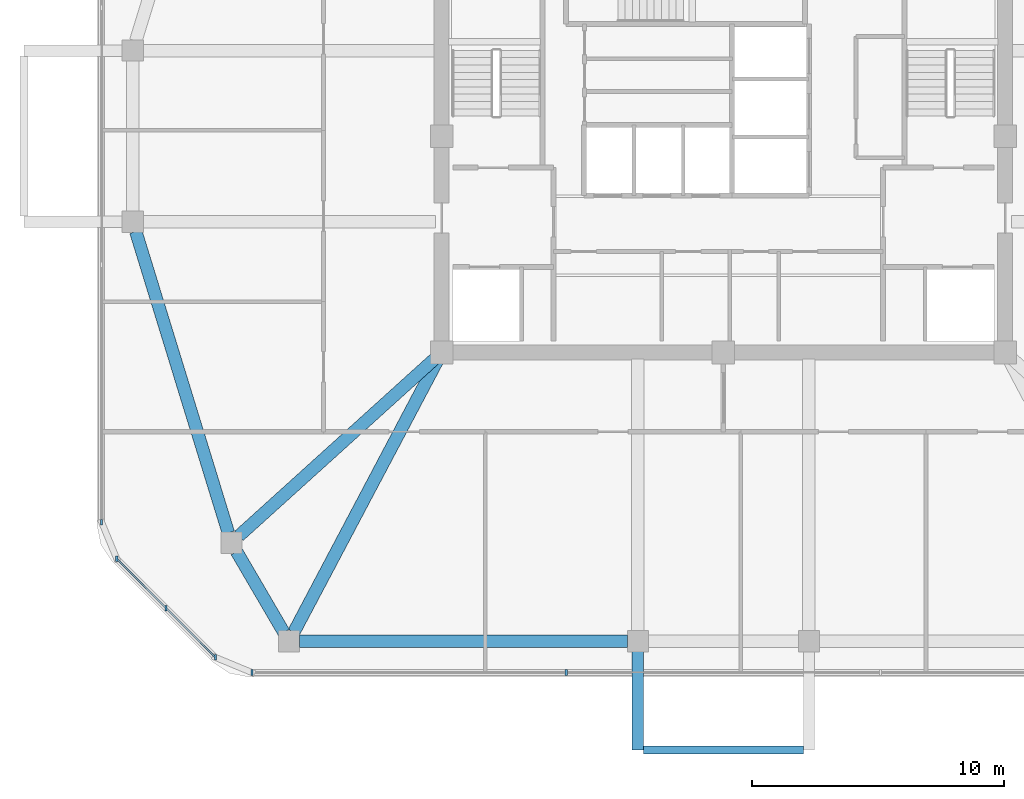
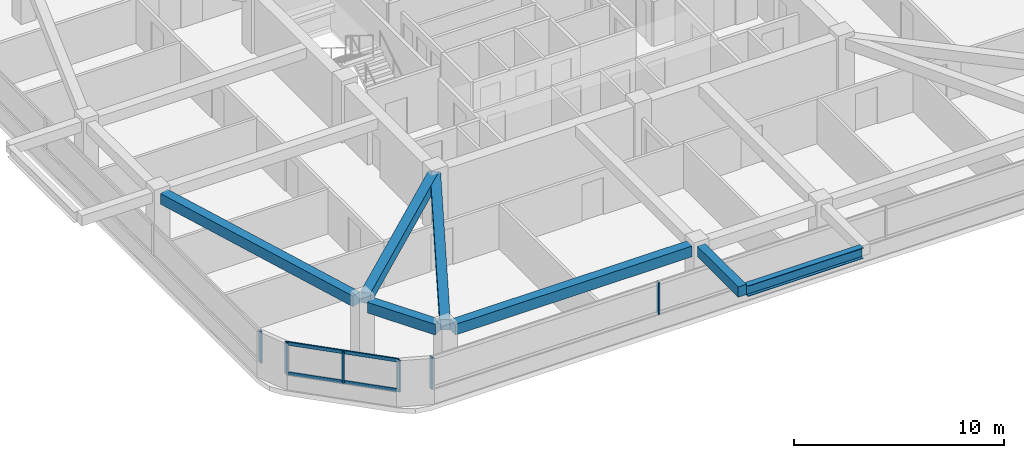
# One storey, part 2 of 14: 8 members, 7 beams, 3 elements without a shape of their own.
"""IFC4 building model written with IfcOpenShell, lengths in metres."""

import ifcopenshell
import ifcopenshell.guid

model = None  # the IFC model being written
_history = None  # IfcOwnerHistory: only IFC2X3 demands one
_inside = {}  # id of a spatial element -> (the spatial element, [elements in it])
_under = {}  # id of a project, library or spatial element -> (it, [spatial elements below it])
_declared = {}  # id of a project -> (the project, [libraries it declares])
_typed = {}  # id of a type object -> (the type object, [elements of that type])
_made_of = {}  # id of a material, layer set ... -> (it, [elements and type objects made of it])


def new_model(schema):
    """Start an empty IFC model of exactly this schema.

    Asked for "IFC4X3", IfcOpenShell would pick the latest addendum, in which some entities
    have other attributes; the version numbers below select the first issue.
    IFC2X3 requires an IfcOwnerHistory on every rooted entity: one is made here for all.
    """
    global model, _history
    if schema == "IFC4X3":
        model = ifcopenshell.file(schema_version=(4, 3, 0, 0))
    else:
        model = ifcopenshell.file(schema=schema)
    _inside.clear()
    _under.clear()
    _declared.clear()
    _typed.clear()
    _made_of.clear()
    _history = None
    if model.schema == "IFC2X3":
        org = make("IfcOrganization", Name="unknown")
        user = make(
            "IfcPersonAndOrganization",
            ThePerson=make("IfcPerson", FamilyName="unknown"),
            TheOrganization=org,
        )
        app = make(
            "IfcApplication",
            ApplicationDeveloper=org,
            Version="unknown",
            ApplicationFullName="unknown",
            ApplicationIdentifier="unknown",
        )
        _history = make(
            "IfcOwnerHistory",
            OwningUser=user,
            OwningApplication=app,
            ChangeAction="ADDED",
            CreationDate=0,
        )
    return model


def make(cls, **values):
    """One entity of the class cls with the attributes given. An attribute that is None is left unset."""
    return model.create_entity(
        cls, **{name: value for name, value in values.items() if value is not None}
    )


def rooted(cls, **values):
    """An entity with a GlobalId (a new one), such as an element, a storey or a relation."""
    return make(cls, GlobalId=ifcopenshell.guid.new(), OwnerHistory=_history, **values)


def si_unit(unit_type, name, prefix=None):
    """IfcSIUnit, for example si_unit("LENGTHUNIT", "METRE", prefix="MILLI")."""
    return make("IfcSIUnit", UnitType=unit_type, Prefix=prefix, Name=name)


def derived_unit(unit_type, elements):
    """IfcDerivedUnit: a product of units, each with its exponent."""
    return make(
        "IfcDerivedUnit",
        Elements=[
            make("IfcDerivedUnitElement", Unit=unit, Exponent=power)
            for unit, power in elements
        ],
        UnitType=unit_type,
    )


def assignment(units):
    """IfcUnitAssignment: the units of a project."""
    return None if units is None else make("IfcUnitAssignment", Units=units)


def point(xyz):
    """IfcCartesianPoint."""
    return None if xyz is None else make("IfcCartesianPoint", Coordinates=xyz)


def direction(xyz):
    """IfcDirection."""
    return None if xyz is None else make("IfcDirection", DirectionRatios=xyz)


def frame(location, z_axis=None, x_axis=None):
    """IfcAxis2Placement3D, a coordinate frame: its origin and axes. An axis left out is left unset."""
    return make(
        "IfcAxis2Placement3D",
        Location=point(location),
        Axis=direction(z_axis),
        RefDirection=direction(x_axis),
    )


def frame_2d(location, x_axis=None):
    """IfcAxis2Placement2D, a coordinate frame in the plane: its origin and x axis."""
    return make(
        "IfcAxis2Placement2D", Location=point(location), RefDirection=direction(x_axis)
    )


def origin():
    """The frame at (0, 0, 0) with its axes left unset."""
    return frame((0.0, 0.0, 0.0))


def origin_2d():
    """The frame at (0, 0) in the plane with its x axis left unset."""
    return frame_2d((0.0, 0.0))


def place(relative_to, where):
    """IfcLocalPlacement: puts the frame where relative to a parent placement (None: the world)."""
    return make(
        "IfcLocalPlacement", PlacementRelTo=relative_to, RelativePlacement=where
    )


def context(
    kind, dimensions, precision=None, world=None, true_north=None, identifier=None
):
    """IfcGeometricRepresentationContext, for example the 3D "Model" context."""
    return make(
        "IfcGeometricRepresentationContext",
        ContextIdentifier=identifier,
        ContextType=kind,
        CoordinateSpaceDimension=dimensions,
        Precision=precision,
        WorldCoordinateSystem=world,
        TrueNorth=true_north,
    )


def subcontext(parent, identifier, kind, view, scale=None):
    """IfcGeometricRepresentationSubContext, for example "Body" below "Model"."""
    return make(
        "IfcGeometricRepresentationSubContext",
        ContextIdentifier=identifier,
        ContextType=kind,
        ParentContext=parent,
        TargetScale=scale,
        TargetView=view,
    )


def project(units=None, contexts=None):
    """IfcProject with its units and contexts."""
    return rooted(
        "IfcProject",
        Name="project",
        RepresentationContexts=contexts,
        UnitsInContext=assignment(units),
    )


def spatial(cls, under=None, at=None, **own):
    """A site, building, storey or space (cls), placed at a placement, below another one or the project."""
    s = rooted(cls, ObjectPlacement=at, **own)
    if under is not None:
        _under.setdefault(under.id(), (under, []))[1].append(s)
    return s


def profile(cls, at=None, kind="AREA", **sizes):
    """A parametric profile (cls). Its sizes go by their IFC names, for example OverallWidth=200.0."""
    return make(cls, ProfileType=kind, Position=at, **sizes)


def rectangle(**sizes):
    """IfcRectangleProfileDef."""
    return profile("IfcRectangleProfileDef", **sizes)


def i_section(**sizes):
    """IfcIShapeProfileDef."""
    return profile("IfcIShapeProfileDef", **sizes)


def extrude(swept, where, along, depth):
    """IfcExtrudedAreaSolid: the profile swept, set in the frame where, extruded along a direction by depth."""
    return make(
        "IfcExtrudedAreaSolid",
        SweptArea=swept,
        Position=where,
        ExtrudedDirection=direction(along),
        Depth=depth,
    )


def shape(context_of_items, identifier, shape_type, items):
    """IfcShapeRepresentation: the items that make up one representation, for example the "Body"."""
    return make(
        "IfcShapeRepresentation",
        ContextOfItems=context_of_items,
        RepresentationIdentifier=identifier,
        RepresentationType=shape_type,
        Items=items,
    )


def material(Name=None, Category=None):
    """IfcMaterial."""
    return make("IfcMaterial", Name=Name, Category=Category)


def material_profile(
    of_material, cross_section, Name=None, Category=None, Priority=None
):
    """IfcMaterialProfile: a cross section and its material."""
    return make(
        "IfcMaterialProfile",
        Name=Name,
        Material=of_material,
        Profile=cross_section,
        Priority=Priority,
        Category=Category,
    )


def profile_set(profiles, Name=None, composite=None):
    """IfcMaterialProfileSet."""
    return make(
        "IfcMaterialProfileSet",
        Name=Name,
        MaterialProfiles=profiles,
        CompositeProfile=composite,
    )


def made_of(thing, what):
    """Note that an element or type object is made of a material, layer set ...; save() writes the relation."""
    if what is not None:
        _made_of.setdefault(what.id(), (what, []))[1].append(thing)
    return thing


def type_object(cls, material=None, **own):
    """A type object (cls), such as IfcWallType, which elements share."""
    return made_of(rooted(cls, **own), material)


def element(
    cls,
    number,
    at=None,
    inside=None,
    cuts=None,
    type_object=None,
    material=None,
    context=None,
    identifier="Body",
    shape_type=None,
    held_by="IfcProductDefinitionShape",
    body=None,
    shapes=None,
    **own,
):
    """One element of the class cls, such as IfcWall. Its Tag is "e" and its number.

    at: its placement. inside: the storey or other place that contains it. cuts: it is an
    opening in that element (IfcRelVoidsElement). A single representation is given by context,
    identifier, shape_type and body (its items); several are given by shapes. held_by: the class
    of the entity that holds the representations. save() writes the other relations.
    """
    e = rooted(cls, Tag="e%d" % number, ObjectPlacement=at, **own)
    if body is not None:
        shapes = [shape(context, identifier, shape_type, body)]
    if shapes is not None:
        e.Representation = make(held_by, Representations=shapes)
    if inside is not None:
        _inside.setdefault(inside.id(), (inside, []))[1].append(e)
    if cuts is not None:
        rooted(
            "IfcRelVoidsElement", RelatingBuildingElement=cuts, RelatedOpeningElement=e
        )
    if type_object is not None:
        _typed.setdefault(type_object.id(), (type_object, []))[1].append(e)
    return made_of(e, material)


def aggregate(whole, parts):
    """IfcRelAggregates: a whole, such as a stair, and the parts it consists of."""
    return rooted("IfcRelAggregates", RelatingObject=whole, RelatedObjects=parts)


def save(model, path):
    """Write the relations noted so far, then the file.

    IfcRelAggregates (storeys below a building ...), IfcRelContainedInSpatialStructure (elements
    in a storey), IfcRelDefinesByType, IfcRelAssociatesMaterial and IfcRelDeclares: one each for
    every whole, place, type object, material and project.
    """
    for whole, parts in _under.values():
        aggregate(whole, parts)
    for where, things in _inside.values():
        rooted(
            "IfcRelContainedInSpatialStructure",
            RelatedElements=things,
            RelatingStructure=where,
        )
    for kind, things in _typed.values():
        rooted("IfcRelDefinesByType", RelatedObjects=things, RelatingType=kind)
    for what, things in _made_of.values():
        rooted("IfcRelAssociatesMaterial", RelatedObjects=things, RelatingMaterial=what)
    for by, libraries in _declared.values():
        rooted("IfcRelDeclares", RelatingContext=by, RelatedDefinitions=libraries)
    model.write(path)


model = new_model("IFC4")

# Units and contexts
model_context = context("Model", 3, precision=1e-05, world=origin(), true_north=direction((0.0, 1.0)))
body_context = subcontext(model_context, "Body", "Model", "MODEL_VIEW")
ifc_project = project(units=[si_unit("LENGTHUNIT", "METRE"), si_unit("AREAUNIT", "SQUARE_METRE"), si_unit("VOLUMEUNIT", "CUBIC_METRE"), si_unit("PLANEANGLEUNIT", "RADIAN"), si_unit("MASSUNIT", "GRAM", prefix="KILO"), derived_unit("THERMALTRANSMITTANCEUNIT", [(si_unit("POWERUNIT", "WATT"), 1), (si_unit("LENGTHUNIT", "METRE"), -2), (si_unit("THERMODYNAMICTEMPERATUREUNIT", "KELVIN"), -1)])], contexts=[model_context])

# Site, building, storey
site_placement = place(None, origin())
site = spatial("IfcSite", under=ifc_project, at=site_placement, CompositionType="ELEMENT")
building_placement = place(site_placement, origin())
building = spatial("IfcBuilding", under=site, at=building_placement, Name="Koralith Skygarden Medical Center", CompositionType="ELEMENT")
storey_placement = place(building_placement, frame((0.0, 0.0, 246.419921875)))
storey = spatial("IfcBuildingStorey", under=building, at=storey_placement, Name="L63", CompositionType="ELEMENT", Elevation=246.419921875)

# Curtain wall, members
ifc_material_1 = material(Name="Clear Laminated Glass", Category="glass")
curtain_wall_type = type_object("IfcCurtainWallType", Name="CW-6 Zone 5 Upper Clinical Curtain Wall", PredefinedType="NOTDEFINED", material=ifc_material_1)
curtain_wall_1_placement = place(storey_placement, origin())
curtain_wall_1 = element("IfcCurtainWall", 1, at=curtain_wall_1_placement, inside=storey, type_object=curtain_wall_type, Name="Curtain Wall CW-L63-S", PredefinedType="NOTDEFINED")
ifc_material_2 = material(Name="Aluminium 6063-T6", Category="aluminium")
ifc_material_profile_1 = material_profile(ifc_material_2, rectangle(XDim=0.0830078125, YDim=0.219970703125, at=origin_2d()), Name="MUL83X220")
ifc_profile_set_1 = profile_set([ifc_material_profile_1], Name="Aluminium 6063-T6")
member_type_1 = type_object("IfcMemberType", Name="CW-6 Extruded Mullion 83x220", PredefinedType="MULLION", material=ifc_profile_set_1)
member_1_placement = place(storey_placement, frame((18.2548828125, 4.580078125, 0.85009765625), z_axis=(0.0, 0.0, 1.0), x_axis=(1.0, 0.0, 0.0)))
member_1 = element("IfcMember", 2, at=member_1_placement, type_object=member_type_1, Name="CW-L63-S Mullion 1", PredefinedType="MULLION", context=body_context, shape_type="SweptSolid", body=[
    extrude(rectangle(XDim=0.0830078125, YDim=0.219970703125, at=origin_2d()), origin(), (0.0, 0.0, 1.0), 1.840087890625),
])
member_2_placement = place(storey_placement, frame((30.751953125, 4.580078125, 0.85009765625), z_axis=(0.0, 0.0, 1.0), x_axis=(1.0, 0.0, 0.0)))
member_2 = element("IfcMember", 3, at=member_2_placement, type_object=member_type_1, Name="CW-L63-S Mullion 2", PredefinedType="MULLION", context=body_context, shape_type="SweptSolid", body=[
    extrude(rectangle(XDim=0.0830078125, YDim=0.219970703125, at=origin_2d()), origin(), (0.0, 0.0, 1.0), 1.840087890625),
])
aggregate(curtain_wall_1, [member_1, member_2])

# Curtain wall, member
curtain_wall_2_placement = place(storey_placement, origin())
curtain_wall_2 = element("IfcCurtainWall", 4, at=curtain_wall_2_placement, inside=storey, type_object=curtain_wall_type, Name="Curtain Wall CW-L63-W", PredefinedType="NOTDEFINED")
member_3_placement = place(storey_placement, frame((12.280029296875, 10.554931640625, 0.85009765625), z_axis=(0.0, 0.0, 1.0), x_axis=(1.0, 0.0, 0.0)))
member_3 = element("IfcMember", 5, at=member_3_placement, type_object=member_type_1, Name="CW-L63-W Mullion 4", PredefinedType="MULLION", context=body_context, shape_type="SweptSolid", body=[
    extrude(rectangle(XDim=0.0830078125, YDim=0.219970703125, at=origin_2d()), origin(), (0.0, 0.0, 1.0), 1.840087890625),
])
aggregate(curtain_wall_2, [member_3])

# Curtain wall, members
curtain_wall_3_placement = place(storey_placement, origin())
curtain_wall_3 = element("IfcCurtainWall", 6, at=curtain_wall_3_placement, inside=storey, type_object=curtain_wall_type, Name="Curtain Wall CW-L63-SW", PredefinedType="NOTDEFINED")
member_4_placement = place(storey_placement, frame((12.881103515625, 9.10400390625, 0.85009765625), z_axis=(0.0, 0.0, 1.0), x_axis=(1.0, 0.0, 0.0)))
member_4 = element("IfcMember", 7, at=member_4_placement, type_object=member_type_1, Name="CW-L63-SW Mullion 1", PredefinedType="MULLION", context=body_context, shape_type="SweptSolid", body=[
    extrude(rectangle(XDim=0.0830078125, YDim=0.219970703125, at=origin_2d()), origin(), (0.0, 0.0, 1.0), 1.840087890625),
])
member_5_placement = place(storey_placement, frame((14.842041015625, 7.14306640625, 0.85009765625), z_axis=(0.0, 0.0, 1.0), x_axis=(1.0, 0.0, 0.0)))
member_5 = element("IfcMember", 8, at=member_5_placement, type_object=member_type_1, Name="CW-L63-SW Mullion 2", PredefinedType="MULLION", context=body_context, shape_type="SweptSolid", body=[
    extrude(rectangle(XDim=0.0830078125, YDim=0.219970703125, at=origin_2d()), origin(), (0.0, 0.0, 1.0), 1.840087890625),
])
member_6_placement = place(storey_placement, frame((16.803955078125, 5.180908203125, 0.85009765625), z_axis=(0.0, 0.0, 1.0), x_axis=(1.0, 0.0, 0.0)))
member_6 = element("IfcMember", 9, at=member_6_placement, type_object=member_type_1, Name="CW-L63-SW Mullion 3", PredefinedType="MULLION", context=body_context, shape_type="SweptSolid", body=[
    extrude(rectangle(XDim=0.0830078125, YDim=0.219970703125, at=origin_2d()), origin(), (0.0, 0.0, 1.0), 1.840087890625),
])
ifc_material_profile_2 = material_profile(ifc_material_2, rectangle(XDim=0.077880859375, YDim=0.197998046875, at=origin_2d()), Name="TRN78X198")
ifc_profile_set_2 = profile_set([ifc_material_profile_2], Name="Aluminium 6063-T6")
member_type_2 = type_object("IfcMemberType", Name="CW-6 Thermal Transom 78x198", PredefinedType="USERDEFINED", material=ifc_profile_set_2)
member_7_placement = place(storey_placement, frame((12.881103515625, 9.10400390625, 0.900146484375), z_axis=(0.707084777957, -0.707128783731, 0.0), x_axis=(0.707128783731, 0.707084777957, 0.0)))
member_7 = element("IfcMember", 10, at=member_7_placement, type_object=member_type_2, Name="CW-L63-SW Transom 1", ObjectType="TRANSOM", PredefinedType="USERDEFINED", context=body_context, shape_type="SweptSolid", body=[
    extrude(rectangle(XDim=0.077880859375, YDim=0.197998046875, at=origin_2d()), origin(), (0.0, 0.0, 1.0), 5.5478515625),
])
member_8_placement = place(storey_placement, frame((12.881103515625, 9.10400390625, 2.64013671875), z_axis=(0.707084777957, -0.707128783731, 0.0), x_axis=(0.707128783731, 0.707084777957, 0.0)))
member_8 = element("IfcMember", 11, at=member_8_placement, type_object=member_type_2, Name="CW-L63-SW Transom 2", ObjectType="TRANSOM", PredefinedType="USERDEFINED", context=body_context, shape_type="SweptSolid", body=[
    extrude(rectangle(XDim=0.077880859375, YDim=0.197998046875, at=origin_2d()), origin(), (0.0, 0.0, 1.0), 5.5478515625),
])
aggregate(curtain_wall_3, [member_4, member_5, member_6, member_7, member_8])

# Beams
ifc_material_3 = material(Name="Steel ASTM A992 Grade 50", Category="steel")
ifc_material_profile_3 = material_profile(ifc_material_3, i_section(OverallWidth=0.326904296875, OverallDepth=0.6220703125, WebThickness=0.015380859375, FlangeThickness=0.0244140625, at=origin_2d()), Name="W24X131")
ifc_profile_set_3 = profile_set([ifc_material_profile_3], Name="Steel ASTM A992 Grade 50")
beam_type_1 = type_object("IfcBeamType", Name="Cantilever Tie Beam W24X131", PredefinedType="BEAM", material=ifc_profile_set_3)
beam_1_placement = place(storey_placement, frame((33.820068359375, 1.5, 3.029052734375), z_axis=(1.0, 0.0, 0.0), x_axis=(0.0, 1.0, 0.0)))
element("IfcBeam", 12, at=beam_1_placement, inside=storey, type_object=beam_type_1, Name="L64 S Balcony Tip Tie Beam", PredefinedType="BEAM", context=body_context, shape_type="SweptSolid", body=[
    extrude(i_section(OverallWidth=0.326904296875, OverallDepth=0.6220703125, WebThickness=0.015380859375, FlangeThickness=0.0244140625, at=origin_2d()), origin(), (0.0, 0.0, 1.0), 6.35986328125),
])
ifc_material_4 = material(Name="Concrete C45/55", Category="concrete")
ifc_material_profile_4 = material_profile(ifc_material_4, rectangle(XDim=0.449951171875, YDim=0.60009765625, at=origin_2d()), Name="RCB450X600")
ifc_profile_set_4 = profile_set([ifc_material_profile_4], Name="Concrete C45/55")
beam_type_2 = type_object("IfcBeamType", Name="Planted Balcony Cantilever Beam RCB450X600", PredefinedType="BEAM", material=ifc_profile_set_4)
beam_2_placement = place(storey_placement, frame((33.60009765625, 5.419921875, 3.0400390625), z_axis=(0.0, -1.0, 0.0), x_axis=(1.0, 0.0, 0.0)))
element("IfcBeam", 13, at=beam_2_placement, inside=storey, type_object=beam_type_2, Name="L64 S Balcony Cantilever Beam A", PredefinedType="BEAM", context=body_context, shape_type="SweptSolid", body=[
    extrude(rectangle(XDim=0.449951171875, YDim=0.60009765625, at=origin_2d()), origin(), (0.0, 0.0, 1.0), 3.919921875),
])
ifc_material_profile_5 = material_profile(ifc_material_4, rectangle(XDim=0.5, YDim=0.6201171875, at=origin_2d()), Name="RCB500X620")
ifc_profile_set_5 = profile_set([ifc_material_profile_5], Name="Concrete C45/55")
beam_type_3 = type_object("IfcBeamType", Name="Upper Radial Collector Beam RCB500X620", PredefinedType="BEAM", material=ifc_profile_set_5)
beam_3_placement = place(storey_placement, frame((25.614990234375, 17.132080078125, 3.010009765625), z_axis=(-0.741736323186, -0.670691603397, 0.0), x_axis=(0.670691603397, -0.741736323186, 0.0)))
element("IfcBeam", 14, at=beam_3_placement, inside=storey, type_object=beam_type_3, Name="L63 Radial Collector Beam RB-02", PredefinedType="BEAM", context=body_context, shape_type="SweptSolid", body=[
    extrude(rectangle(XDim=0.5, YDim=0.6201171875, at=origin_2d()), origin(), (0.0, 0.0, 1.0), 10.61181640625),
])
beam_4_placement = place(storey_placement, frame((25.68310546875, 17.0791015625, 3.010009765625), z_axis=(-0.46724871287, -0.884125918816, 0.0), x_axis=(0.884125918816, -0.46724871287, 0.0)))
element("IfcBeam", 15, at=beam_4_placement, inside=storey, type_object=beam_type_3, Name="L63 Radial Collector Beam RB-03", PredefinedType="BEAM", context=body_context, shape_type="SweptSolid", body=[
    extrude(rectangle(XDim=0.5, YDim=0.6201171875, at=origin_2d()), origin(), (0.0, 0.0, 1.0), 12.325439453125),
])
ifc_material_profile_6 = material_profile(ifc_material_4, rectangle(XDim=0.5, YDim=0.6201171875, at=origin_2d()), Name="RCB500X620")
ifc_profile_set_6 = profile_set([ifc_material_profile_6], Name="Concrete C45/55")
beam_type_4 = type_object("IfcBeamType", Name="Zone 4-5 Spandrel Beam RCB500X620", PredefinedType="SPANDREL", material=ifc_profile_set_6)
beam_5_placement = place(storey_placement, frame((13.639892578125, 22.10791015625, 3.010009765625), z_axis=(0.293743494914, -0.955884281279, 0.0), x_axis=(0.955884281279, 0.293743494914, 0.0)))
element("IfcBeam", 16, at=beam_5_placement, inside=storey, type_object=beam_type_4, Name="L63 Perimeter Spandrel Beam SP-01", PredefinedType="SPANDREL", context=body_context, shape_type="SweptSolid", body=[
    extrude(rectangle(XDim=0.5, YDim=0.6201171875, at=origin_2d()), origin(), (0.0, 0.0, 1.0), 12.528564453125),
])
beam_6_placement = place(storey_placement, frame((17.64697265625, 9.385986328125, 3.010009765625), z_axis=(0.50473571007, -0.863273921175, 0.0), x_axis=(0.863273921175, 0.50473571007, 0.0)))
element("IfcBeam", 17, at=beam_6_placement, inside=storey, type_object=beam_type_4, Name="L63 Perimeter Spandrel Beam SP-02", PredefinedType="SPANDREL", context=body_context, shape_type="SweptSolid", body=[
    extrude(rectangle(XDim=0.5, YDim=0.6201171875, at=origin_2d()), origin(), (0.0, 0.0, 1.0), 3.720703125),
])
beam_7_placement = place(storey_placement, frame((20.14208984375, 5.820068359375, 3.010009765625), z_axis=(1.0, 0.0, 0.0), x_axis=(0.0, 1.0, 0.0)))
element("IfcBeam", 18, at=beam_7_placement, inside=storey, type_object=beam_type_4, Name="L63 Perimeter Spandrel Beam SP-03", PredefinedType="SPANDREL", context=body_context, shape_type="SweptSolid", body=[
    extrude(rectangle(XDim=0.5, YDim=0.6201171875, at=origin_2d()), origin(), (0.0, 0.0, 1.0), 13.0478515625),
])

save(model, "model.ifc")
